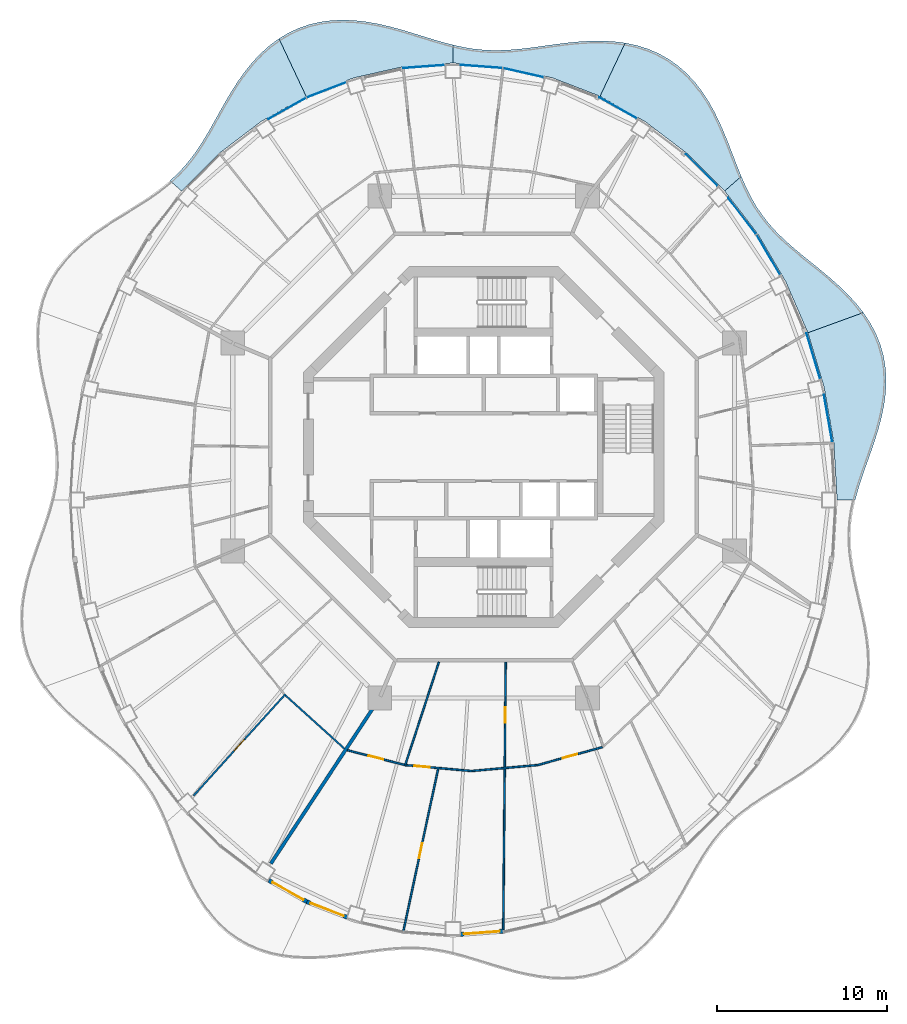
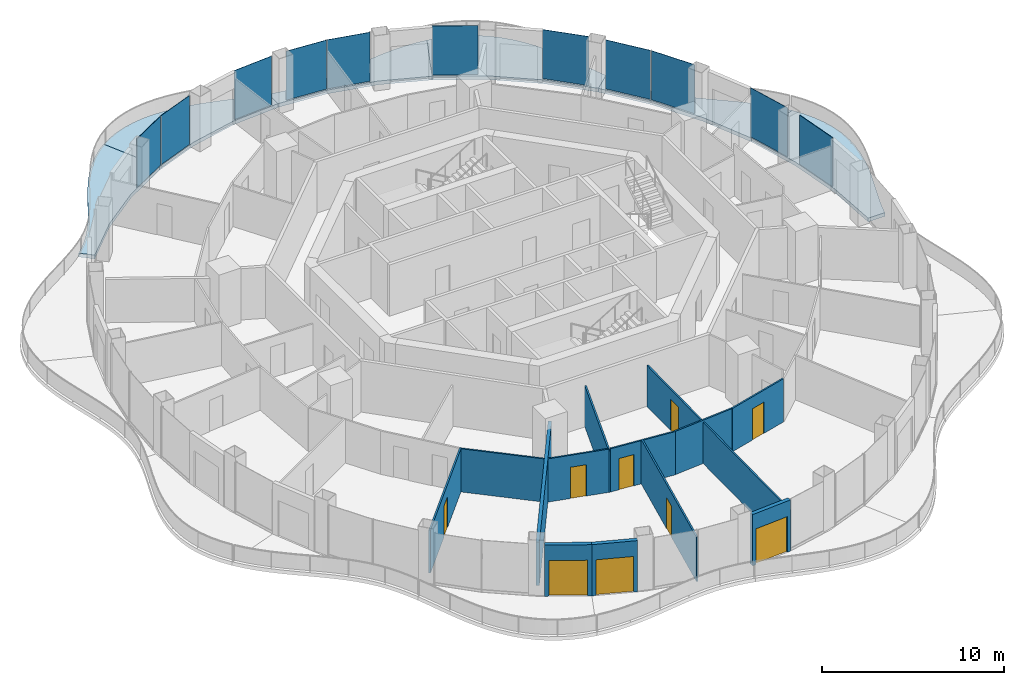
# One storey, part 9 of 17: 13 walls, 11 plates, 9 doors, 6 slabs, 9 openings, 11 elements without a shape of their own.
"""IFC4 building model written with IfcOpenShell, lengths in metres."""

from ifc_helpers import new_model, si_unit, direction, frame, frame_2d, origin, origin_2d, place, context, subcontext, project, spatial, polyline, rectangle, outline, extrude, material, layer, layer_set, type_object, element, fill, aggregate, save


model = new_model("IFC4")

# Units and contexts
model_context = context("Model", 3, precision=1e-05, world=origin(), true_north=direction((0.0, 1.0)))
body_context = subcontext(model_context, "Body", "Model", "MODEL_VIEW")
ifc_project = project(units=[si_unit("LENGTHUNIT", "METRE"), si_unit("AREAUNIT", "SQUARE_METRE"), si_unit("VOLUMEUNIT", "CUBIC_METRE"), si_unit("PLANEANGLEUNIT", "RADIAN"), si_unit("MASSUNIT", "GRAM", prefix="KILO")], contexts=[model_context])

# Site, building, storey
site_placement = place(None, origin())
site = spatial("IfcSite", under=ifc_project, at=site_placement, CompositionType="ELEMENT")
building_placement = place(site_placement, origin())
building = spatial("IfcBuilding", under=site, at=building_placement, Name="Nagisa Residences", CompositionType="ELEMENT")
storey_placement = place(building_placement, frame((0.0, 0.0, 262.199951171875)))
storey = spatial("IfcBuildingStorey", under=building, at=storey_placement, Name="L66", CompositionType="ELEMENT", Elevation=262.199951171875)

# Slabs
ifc_material_1 = material(Name="Concrete C40/50", Category="concrete")
ifc_layer_1 = layer(ifc_material_1, 0.25)
ifc_layer_set_1 = layer_set([ifc_layer_1], Name="BALCONY SLAB 250")
slab_type = type_object("IfcSlabType", Name="BALCONY SLAB 250", PredefinedType="FLOOR", material=ifc_layer_set_1)
slab_1_placement = place(storey_placement, frame((0.0, 0.0, -0.25)))
element("IfcSlab", 1, at=slab_1_placement, inside=storey, type_object=slab_type, Name="slab:L66:bal00", PredefinedType="FLOOR", context=body_context, shape_type="SweptSolid", body=[
    extrude(outline(polyline([(21.88427734375, -3.11767578125), (22.06396484375, -2.462646484375), (22.27685546875, -1.798095703125), (22.511962890625, -1.12158203125), (22.757568359375, -0.43212890625), (23.00048828125, 0.270263671875), (23.226806640625, 0.984375), (23.4228515625, 1.7080078125), (23.576171875, 2.4375), (23.67529296875, 3.168701171875), (23.71044921875, 3.89697265625), (23.674560546875, 4.616943359375), (23.56298828125, 5.3232421875), (23.37353515625, 6.0107421875), (23.10791015625, 6.67529296875), (22.76953125, 7.31298828125), (22.364990234375, 7.921630859375), (19.09814453125, 6.732666015625), (20.04931640625, 3.544189453125), (20.62646484375, 0.241943359375), (20.820068359375, -3.11767578125), (21.88427734375, -3.11767578125)])), origin(), (0.0, 0.0, 1.0), 0.25),
])
slab_2_placement = place(storey_placement, frame((0.0, 0.0, -0.25)))
element("IfcSlab", 2, at=slab_2_placement, inside=storey, type_object=slab_type, Name="slab:L66:bal01", PredefinedType="FLOOR", context=body_context, shape_type="SweptSolid", body=[
    extrude(outline(polyline([(22.364990234375, 7.921630859375), (21.91796875, 8.482666015625), (21.4267578125, 9.015869140625), (20.90185546875, 9.5224609375), (20.35498046875, 10.005615234375), (19.797607421875, 10.469482421875), (19.240966796875, 10.919189453125), (18.696044921875, 11.36083984375), (18.171630859375, 11.801025390625), (17.67529296875, 12.24609375), (17.212890625, 12.702880859375), (16.787353515625, 13.17724609375), (16.39990234375, 13.67431640625), (16.049072265625, 14.19775390625), (15.73193359375, 14.75048828125), (15.4423828125, 15.332763671875), (15.173828125, 15.943603515625), (14.19482421875, 15.083251953125), (16.145751953125, 12.5517578125), (17.78955078125, 9.752197265625), (19.09814453125, 6.732666015625), (22.364990234375, 7.921630859375)])), origin(), (0.0, 0.0, 1.0), 0.25),
])
slab_3_placement = place(storey_placement, frame((0.0, 0.0, -0.25)))
element("IfcSlab", 3, at=slab_3_placement, inside=storey, type_object=slab_type, Name="slab:L66:bal02", PredefinedType="FLOOR", context=body_context, shape_type="SweptSolid", body=[
    extrude(outline(polyline([(15.173828125, 15.943603515625), (14.9296875, 16.5498046875), (14.688720703125, 17.17529296875), (14.442626953125, 17.81396484375), (14.18310546875, 18.459228515625), (13.902587890625, 19.103515625), (13.593505859375, 19.73779296875), (13.25, 20.35302734375), (12.867431640625, 20.940185546875), (12.4423828125, 21.49072265625), (11.97314453125, 21.996337890625), (11.459716796875, 22.449951171875), (10.904052734375, 22.84619140625), (10.30908203125, 23.1806640625), (9.678955078125, 23.45166015625), (9.01953125, 23.65869140625), (8.336669921875, 23.803955078125), (6.856201171875, 20.6630859375), (9.510009765625, 19.173828125), (11.97021484375, 17.30322265625), (14.19482421875, 15.083251953125), (15.173828125, 15.943603515625)])), origin(), (0.0, 0.0, 1.0), 0.25),
])
slab_4_placement = place(storey_placement, frame((0.0, 0.0, -0.25)))
element("IfcSlab", 4, at=slab_4_placement, inside=storey, type_object=slab_type, Name="slab:L66:bal03", PredefinedType="FLOOR", context=body_context, shape_type="SweptSolid", body=[
    extrude(outline(polyline([(8.336669921875, 23.803955078125), (7.662841796875, 23.888916015625), (6.9794921875, 23.9248046875), (6.292236328125, 23.918701171875), (5.60693359375, 23.8779296875), (4.927978515625, 23.811279296875), (4.259033203125, 23.727783203125), (3.602783203125, 23.63720703125), (2.9609375, 23.54833984375), (2.333984375, 23.47021484375), (1.721435546875, 23.410400390625), (1.12109375, 23.37548828125), (0.53076171875, 23.37060546875), (-0.052734375, 23.398681640625), (-0.633056640625, 23.46142578125), (-1.21435546875, 23.558349609375), (-1.800048828125, 23.6865234375), (-1.800048828125, 22.622314453125), (1.152587890625, 22.402099609375), (4.054443359375, 21.745361328125), (6.856201171875, 20.6630859375), (8.336669921875, 23.803955078125)])), origin(), (0.0, 0.0, 1.0), 0.25),
])
slab_5_placement = place(storey_placement, frame((0.0, 0.0, -0.25)))
element("IfcSlab", 5, at=slab_5_placement, inside=storey, type_object=slab_type, Name="slab:L66:bal04", PredefinedType="FLOOR", context=body_context, shape_type="SweptSolid", body=[
    extrude(outline(polyline([(-1.800048828125, 23.6865234375), (-2.393798828125, 23.842041015625), (-2.998291015625, 24.018798828125), (-3.61572265625, 24.209228515625), (-4.24755859375, 24.405029296875), (-4.8935546875, 24.596435546875), (-5.552978515625, 24.774169921875), (-6.2236328125, 24.927978515625), (-6.90234375, 25.048583984375), (-7.58544921875, 25.127197265625), (-8.26806640625, 25.156494140625), (-8.94482421875, 25.129638671875), (-9.6103515625, 25.042724609375), (-10.25927734375, 24.892333984375), (-10.886474609375, 24.677490234375), (-11.487060546875, 24.399169921875), (-12.0576171875, 24.06005859375), (-10.456298828125, 20.6630859375), (-7.654541015625, 21.745361328125), (-4.75244140625, 22.402099609375), (-1.800048828125, 22.622314453125), (-1.800048828125, 23.6865234375)])), origin(), (0.0, 0.0, 1.0), 0.25),
])
slab_6_placement = place(storey_placement, frame((0.0, 0.0, -0.25)))
element("IfcSlab", 6, at=slab_6_placement, inside=storey, type_object=slab_type, Name="slab:L66:bal05", PredefinedType="FLOOR", context=body_context, shape_type="SweptSolid", body=[
    extrude(outline(polyline([(-12.0576171875, 24.06005859375), (-12.6142578125, 23.6484375), (-13.1337890625, 23.1826171875), (-13.61572265625, 22.670166015625), (-14.060791015625, 22.120361328125), (-14.472412109375, 21.54296875), (-14.854248046875, 20.94775390625), (-15.212158203125, 20.344482421875), (-15.552001953125, 19.742431640625), (-15.88134765625, 19.150146484375), (-16.20751953125, 18.57470703125), (-16.5380859375, 18.02197265625), (-16.880126953125, 17.49609375), (-17.240478515625, 16.999267578125), (-17.62451171875, 16.532470703125), (-18.0361328125, 16.094970703125), (-18.478271484375, 15.683837890625), (-17.794677734375, 15.083251953125), (-15.570068359375, 17.30322265625), (-13.110107421875, 19.173828125), (-10.456298828125, 20.6630859375), (-12.0576171875, 24.06005859375)])), origin(), (0.0, 0.0, 1.0), 0.25),
])

# Curtain wall, plate
ifc_material_2 = material(Name="Concrete-coloured aluminium curtain wall system", Category="concrete")
ifc_layer_2 = layer(ifc_material_2, 0.159912109375)
ifc_layer_set_2 = layer_set([ifc_layer_2], Name="CW1 CURTAIN WALL")
curtain_wall_type = type_object("IfcCurtainWallType", Name="CW1 CURTAIN WALL", PredefinedType="NOTDEFINED", material=ifc_layer_set_2)
curtain_wall_1_placement = place(storey_placement, origin())
curtain_wall_1 = element("IfcCurtainWall", 7, at=curtain_wall_1_placement, inside=storey, type_object=curtain_wall_type, Name="cw:CW1:L66:01", PredefinedType="NOTDEFINED")
ifc_material_3 = material(Name="Clear laminated glass", Category="glass")
ifc_layer_3 = layer(ifc_material_3, 0.028076171875)
ifc_layer_set_3 = layer_set([ifc_layer_3], Name="CW1 GLASS PANEL")
plate_type = type_object("IfcPlateType", Name="CW1 GLASS PANEL", PredefinedType="CURTAIN_PANEL", material=ifc_layer_set_3)
plate_1_placement = place(storey_placement, frame((20.292724609375, 1.687255859375, 0.150146484375), z_axis=(0.0, 0.0, 1.0), x_axis=(-0.172190868898, 0.985063604377, 0.0)))
plate_1 = element("IfcPlate", 8, at=plate_1_placement, type_object=plate_type, Name="CW1 panel", PredefinedType="CURTAIN_PANEL", context=body_context, shape_type="SweptSolid", body=[
    extrude(rectangle(XDim=2.84228515625, YDim=0.028076171875, at=origin_2d()), origin(), (0.0, 0.0, 1.0), 3.2900390625),
])
aggregate(curtain_wall_1, [plate_1])

curtain_wall_2_placement = place(storey_placement, origin())
curtain_wall_2 = element("IfcCurtainWall", 9, at=curtain_wall_2_placement, inside=storey, type_object=curtain_wall_type, Name="cw:CW1:L66:02", PredefinedType="NOTDEFINED")
plate_2_placement = place(storey_placement, frame((19.424072265625, 5.35986328125, 0.150146484375), z_axis=(0.0, 0.0, 1.0), x_axis=(-0.285860274038, 0.958271310082, 0.0)))
plate_2 = element("IfcPlate", 10, at=plate_2_placement, type_object=plate_type, Name="CW1 panel", PredefinedType="CURTAIN_PANEL", context=body_context, shape_type="SweptSolid", body=[
    extrude(rectangle(XDim=2.817138671875, YDim=0.028076171875, at=origin_2d()), origin(), (0.0, 0.0, 1.0), 3.2900390625),
])
aggregate(curtain_wall_2, [plate_2])

curtain_wall_3_placement = place(storey_placement, origin())
curtain_wall_3 = element("IfcCurtainWall", 11, at=curtain_wall_3_placement, inside=storey, type_object=curtain_wall_type, Name="cw:CW1:L66:04", PredefinedType="NOTDEFINED")
plate_3_placement = place(storey_placement, frame((16.76953125, 11.33154296875, 0.150146484375), z_axis=(0.0, 0.0, 1.0), x_axis=(-0.506348567002, 0.862328898214, 0.0)))
plate_3 = element("IfcPlate", 12, at=plate_3_placement, type_object=plate_type, Name="CW1 panel", PredefinedType="CURTAIN_PANEL", context=body_context, shape_type="SweptSolid", body=[
    extrude(rectangle(XDim=2.736572265625, YDim=0.028076171875, at=origin_2d()), origin(), (0.0, 0.0, 1.0), 3.2900390625),
])
aggregate(curtain_wall_3, [plate_3])

curtain_wall_4_placement = place(storey_placement, origin())
curtain_wall_4 = element("IfcCurtainWall", 13, at=curtain_wall_4_placement, inside=storey, type_object=curtain_wall_type, Name="cw:CW1:L66:05", PredefinedType="NOTDEFINED")
plate_4_placement = place(storey_placement, frame((15.225830078125, 13.6142578125, 0.150146484375), z_axis=(0.0, 0.0, 1.0), x_axis=(-0.610429828235, 0.792070340816, 0.0)))
plate_4 = element("IfcPlate", 14, at=plate_4_placement, type_object=plate_type, Name="CW1 panel", PredefinedType="CURTAIN_PANEL", context=body_context, shape_type="SweptSolid", body=[
    extrude(rectangle(XDim=2.68603515625, YDim=0.028076171875, at=origin_2d()), origin(), (0.0, 0.0, 1.0), 3.2900390625),
])
aggregate(curtain_wall_4, [plate_4])

curtain_wall_5_placement = place(storey_placement, origin())
curtain_wall_5 = element("IfcCurtainWall", 15, at=curtain_wall_5_placement, inside=storey, type_object=curtain_wall_type, Name="cw:CW1:L66:06", PredefinedType="NOTDEFINED")
plate_5_placement = place(storey_placement, frame((12.845458984375, 16.316650390625, 0.150146484375), z_axis=(0.0, 0.0, 1.0), x_axis=(-0.707835924016, 0.706376885714, 0.0)))
plate_5 = element("IfcPlate", 16, at=plate_5_placement, type_object=plate_type, Name="CW1 panel", PredefinedType="CURTAIN_PANEL", context=body_context, shape_type="SweptSolid", body=[
    extrude(rectangle(XDim=2.6328125, YDim=0.028076171875, at=origin_2d()), origin(), (0.0, 0.0, 1.0), 3.2900390625),
])
aggregate(curtain_wall_5, [plate_5])

curtain_wall_6_placement = place(storey_placement, origin())
curtain_wall_6 = element("IfcCurtainWall", 17, at=curtain_wall_6_placement, inside=storey, type_object=curtain_wall_type, Name="cw:CW1:L66:08", PredefinedType="NOTDEFINED")
plate_6_placement = place(storey_placement, frame((7.921630859375, 19.973388671875, 0.150146484375), z_axis=(0.0, 0.0, 1.0), x_axis=(-0.872072377523, 0.489376918501, 0.0)))
plate_6 = element("IfcPlate", 18, at=plate_6_placement, type_object=plate_type, Name="CW1 panel", PredefinedType="CURTAIN_PANEL", context=body_context, shape_type="SweptSolid", body=[
    extrude(rectangle(XDim=2.532958984375, YDim=0.028076171875, at=origin_2d()), origin(), (0.0, 0.0, 1.0), 3.2900390625),
])
aggregate(curtain_wall_6, [plate_6])

curtain_wall_7_placement = place(storey_placement, origin())
curtain_wall_7 = element("IfcCurtainWall", 19, at=curtain_wall_7_placement, inside=storey, type_object=curtain_wall_type, Name="cw:CW1:L66:10", PredefinedType="NOTDEFINED")
plate_7_placement = place(storey_placement, frame((2.337158203125, 22.052001953125, 0.150146484375), z_axis=(0.0, 0.0, 1.0), x_axis=(-0.975327274089, 0.2207639201, 0.0)))
plate_7 = element("IfcPlate", 20, at=plate_7_placement, type_object=plate_type, Name="CW1 panel", PredefinedType="CURTAIN_PANEL", context=body_context, shape_type="SweptSolid", body=[
    extrude(rectangle(XDim=2.46533203125, YDim=0.028076171875, at=origin_2d()), origin(), (0.0, 0.0, 1.0), 3.2900390625),
])
aggregate(curtain_wall_7, [plate_7])

curtain_wall_8_placement = place(storey_placement, origin())
curtain_wall_8 = element("IfcCurtainWall", 21, at=curtain_wall_8_placement, inside=storey, type_object=curtain_wall_type, Name="cw:CW1:L66:11", PredefinedType="NOTDEFINED")
plate_8_placement = place(storey_placement, frame((-0.13525390625, 22.41796875, 0.150146484375), z_axis=(0.0, 0.0, 1.0), x_axis=(-0.997230168512, 0.074377355493, 0.0)))
plate_8 = element("IfcPlate", 22, at=plate_8_placement, type_object=plate_type, Name="CW1 panel", PredefinedType="CURTAIN_PANEL", context=body_context, shape_type="SweptSolid", body=[
    extrude(rectangle(XDim=2.45068359375, YDim=0.028076171875, at=origin_2d()), origin(), (0.0, 0.0, 1.0), 3.2900390625),
])
aggregate(curtain_wall_8, [plate_8])

curtain_wall_9_placement = place(storey_placement, origin())
curtain_wall_9 = element("IfcCurtainWall", 23, at=curtain_wall_9_placement, inside=storey, type_object=curtain_wall_type, Name="cw:CW1:L66:12", PredefinedType="NOTDEFINED")
plate_9_placement = place(storey_placement, frame((-3.524658203125, 22.41357421875, 0.150146484375), z_axis=(0.0, 0.0, 1.0), x_axis=(-0.997230168512, -0.074377355493, 0.0)))
plate_9 = element("IfcPlate", 24, at=plate_9_placement, type_object=plate_type, Name="CW1 panel", PredefinedType="CURTAIN_PANEL", context=body_context, shape_type="SweptSolid", body=[
    extrude(rectangle(XDim=2.45068359375, YDim=0.028076171875, at=origin_2d()), origin(), (0.0, 0.0, 1.0), 3.2900390625),
])
aggregate(curtain_wall_9, [plate_9])

curtain_wall_10_placement = place(storey_placement, origin())
curtain_wall_10 = element("IfcCurtainWall", 25, at=curtain_wall_10_placement, inside=storey, type_object=curtain_wall_type, Name="cw:CW1:L66:14", PredefinedType="NOTDEFINED")
plate_10_placement = place(storey_placement, frame((-9.264404296875, 21.03759765625, 0.150146484375), z_axis=(0.0, 0.0, 1.0), x_axis=(-0.932825759707, -0.360327770268, 0.0)))
plate_10 = element("IfcPlate", 26, at=plate_10_placement, type_object=plate_type, Name="CW1 panel", PredefinedType="CURTAIN_PANEL", context=body_context, shape_type="SweptSolid", body=[
    extrude(rectangle(XDim=2.49365234375, YDim=0.028076171875, at=origin_2d()), origin(), (0.0, 0.0, 1.0), 3.2900390625),
])
aggregate(curtain_wall_10, [plate_10])

curtain_wall_11_placement = place(storey_placement, origin())
curtain_wall_11 = element("IfcCurtainWall", 27, at=curtain_wall_11_placement, inside=storey, type_object=curtain_wall_type, Name="cw:CW1:L66:15", PredefinedType="NOTDEFINED")
plate_11_placement = place(storey_placement, frame((-11.573974609375, 19.944091796875, 0.150146484375), z_axis=(0.0, 0.0, 1.0), x_axis=(-0.872072377523, -0.489376918501, 0.0)))
plate_11 = element("IfcPlate", 28, at=plate_11_placement, type_object=plate_type, Name="CW1 panel", PredefinedType="CURTAIN_PANEL", context=body_context, shape_type="SweptSolid", body=[
    extrude(rectangle(XDim=2.532958984375, YDim=0.028076171875, at=origin_2d()), origin(), (0.0, 0.0, 1.0), 3.2900390625),
])
aggregate(curtain_wall_11, [plate_11])

# Wall
ifc_material_4 = material(Name="Gypsum board on steel studs", Category="steel")
ifc_layer_4 = layer(ifc_material_4, 0.199951171875)
ifc_layer_set_4 = layer_set([ifc_layer_4], Name="Apartment compartment wall EI60 200")
wall_type_1 = type_object("IfcWallType", Name="Apartment compartment wall EI60 200", PredefinedType="PARTITIONING", material=ifc_layer_set_4)
wall_1_placement = place(storey_placement, frame((-6.150634765625, -14.82373046875, 0.0), z_axis=(0.0, 0.0, 1.0), x_axis=(-0.549345577828, -0.835595258556, 0.0)))
element("IfcWall", 29, at=wall_1_placement, inside=storey, type_object=wall_type_1, Name="wall:L66:u05", PredefinedType="PARTITIONING", context=body_context, shape_type="SweptSolid", body=[
    extrude(rectangle(XDim=11.619873046875, YDim=0.199951171875, at=frame_2d((5.81005859375, 0.0))), origin(), (0.0, 0.0, 1.0), 2.905029296875),
])

# Wall, opening, door
ifc_material_5 = material(Name="Gypsum board on steel studs", Category="steel")
ifc_layer_5 = layer(ifc_material_5, 0.10009765625)
ifc_layer_set_5 = layer_set([ifc_layer_5], Name="Apartment partition 100")
wall_type_2 = type_object("IfcWallType", Name="Apartment partition 100", PredefinedType="PARTITIONING", material=ifc_layer_set_5)
wall_2_placement = place(storey_placement, frame((-11.67919921875, -14.55712890625, 0.0), z_axis=(0.0, 0.0, 1.0), x_axis=(-0.670800011545, -0.741638284146, 0.0)))
wall_2 = element("IfcWall", 30, at=wall_2_placement, inside=storey, type_object=wall_type_2, Name="wall:L66:u52", PredefinedType="PARTITIONING", context=body_context, shape_type="SweptSolid", body=[
    extrude(rectangle(XDim=8.068115234375, YDim=0.10009765625, at=frame_2d((4.0341796875, 0.0))), origin(), (0.0, 0.0, 1.0), 2.905029296875),
])
opening_1_placement = place(wall_2_placement, frame((3.609130859375, 0.0, 0.0)))
opening_1 = element("IfcOpeningElement", 31, at=opening_1_placement, cuts=wall_2, Name="Opening L66-U25", PredefinedType="OPENING", context=body_context, shape_type="SweptSolid", body=[
    extrude(rectangle(XDim=0.89990234375, YDim=2.10009765625, at=frame_2d((0.449951171875, 1.050048828125))), frame((0.0, 0.06005859375, 0.0), z_axis=(0.0, -1.0, 0.0), x_axis=(1.0, 0.0, 0.0)), (0.0, 0.0, 1.0), 0.1201171875),
])
ifc_material_6 = material(Name="Timber door set", Category="wood")
door_type_1 = type_object("IfcDoorType", Name="Apartment door 900x2100", OperationType="NOTDEFINED", PredefinedType="DOOR", material=ifc_material_6)
door_1_placement = place(opening_1_placement, origin())
door_1 = element("IfcDoor", 32, at=door_1_placement, inside=storey, type_object=door_type_1, Name="Door to master bedroom, Apartment 66C", OperationType="SINGLE_SWING_LEFT", OverallHeight=2.10009765625, OverallWidth=0.89990234375, PredefinedType="DOOR", context=body_context, shape_type="SweptSolid", body=[
    extrude(rectangle(XDim=0.89990234375, YDim=2.10009765625, at=frame_2d((0.449951171875, 1.050048828125))), frame((0.0, 0.02490234375, 0.0), z_axis=(0.0, -1.0, 0.0), x_axis=(1.0, 0.0, 0.0)), (0.0, 0.0, 1.0), 0.050048828125),
])
fill(opening_1, door_1)

# Wall
wall_3_placement = place(storey_placement, frame((-11.675537109375, -14.627685546875, 0.0), z_axis=(0.0, 0.0, 1.0), x_axis=(0.74245829867, -0.669892285921, 0.0)))
element("IfcWall", 33, at=wall_3_placement, inside=storey, type_object=wall_type_2, Name="wall:L66:u53", PredefinedType="PARTITIONING", context=body_context, shape_type="SweptSolid", body=[
    extrude(rectangle(XDim=4.679931640625, YDim=0.10009765625, at=frame_2d((2.33984375, 0.0))), origin(), (0.0, 0.0, 1.0), 2.905029296875),
])

# Wall, opening, door
wall_4_placement = place(storey_placement, frame((-8.02978515625, -17.8544921875, 0.0), z_axis=(0.0, 0.0, 1.0), x_axis=(0.968441967324, -0.249239154077, 0.0)))
wall_4 = element("IfcWall", 34, at=wall_4_placement, inside=storey, type_object=wall_type_2, Name="wall:L66:u54", PredefinedType="PARTITIONING", context=body_context, shape_type="SweptSolid", body=[
    extrude(rectangle(XDim=3.467529296875, YDim=0.10009765625, at=frame_2d((1.73388671875, 0.0))), origin(), (0.0, 0.0, 1.0), 2.905029296875),
])
opening_2_placement = place(wall_4_placement, frame((1.28369140625, 0.0, 0.0)))
opening_2 = element("IfcOpeningElement", 35, at=opening_2_placement, cuts=wall_4, Name="Opening L66-U38", PredefinedType="OPENING", context=body_context, shape_type="SweptSolid", body=[
    extrude(rectangle(XDim=0.89990234375, YDim=2.10009765625, at=frame_2d((0.449951171875, 1.050048828125))), frame((0.0, 0.06005859375, 0.0), z_axis=(0.0, -1.0, 0.0), x_axis=(1.0, 0.0, 0.0)), (0.0, 0.0, 1.0), 0.1201171875),
])
door_2_placement = place(opening_2_placement, origin())
door_2 = element("IfcDoor", 36, at=door_2_placement, inside=storey, type_object=door_type_1, Name="Door to laundry, Apartment 66D", OperationType="SINGLE_SWING_RIGHT", OverallHeight=2.10009765625, OverallWidth=0.89990234375, PredefinedType="DOOR", context=body_context, shape_type="SweptSolid", body=[
    extrude(rectangle(XDim=0.89990234375, YDim=2.10009765625, at=frame_2d((0.449951171875, 1.050048828125))), frame((0.0, 0.02490234375, 0.0), z_axis=(0.0, -1.0, 0.0), x_axis=(1.0, 0.0, 0.0)), (0.0, 0.0, 1.0), 0.050048828125),
])
fill(opening_2, door_2)

# Wall
wall_5_placement = place(storey_placement, frame((-2.63330078125, -12.65966796875, 0.0), z_axis=(0.0, 0.0, 1.0), x_axis=(-0.311435053715, -0.950267439891, 0.0)))
element("IfcWall", 37, at=wall_5_placement, inside=storey, type_object=wall_type_2, Name="wall:L66:u55", PredefinedType="PARTITIONING", context=body_context, shape_type="SweptSolid", body=[
    extrude(rectangle(XDim=6.439208984375, YDim=0.10009765625, at=frame_2d((3.2197265625, 0.0))), origin(), (0.0, 0.0, 1.0), 2.761962890625),
])

# Wall, opening, door
wall_6_placement = place(storey_placement, frame((-4.5732421875, -18.735595703125, 0.0), z_axis=(0.0, 0.0, 1.0), x_axis=(0.995984610732, -0.089524606594, 0.0)))
wall_6 = element("IfcWall", 38, at=wall_6_placement, inside=storey, type_object=wall_type_2, Name="wall:L66:u56", PredefinedType="PARTITIONING", context=body_context, shape_type="SweptSolid", body=[
    extrude(rectangle(XDim=3.918701171875, YDim=0.10009765625, at=frame_2d((1.95947265625, 0.0))), origin(), (0.0, 0.0, 1.0), 2.905029296875),
])
opening_3_placement = place(wall_6_placement, frame((0.504638671875, 0.0, 0.0)))
opening_3 = element("IfcOpeningElement", 39, at=opening_3_placement, cuts=wall_6, Name="Opening L66-U36", PredefinedType="OPENING", context=body_context, shape_type="SweptSolid", body=[
    extrude(rectangle(XDim=0.89990234375, YDim=2.10009765625, at=frame_2d((0.449951171875, 1.050048828125))), frame((0.0, 0.06005859375, 0.0), z_axis=(0.0, -1.0, 0.0), x_axis=(1.0, 0.0, 0.0)), (0.0, 0.0, 1.0), 0.1201171875),
])
door_3_placement = place(opening_3_placement, frame((0.89990234375, 0.0, 0.0), x_axis=(-1.0, 0.0, 0.0)))
door_3 = element("IfcDoor", 40, at=door_3_placement, inside=storey, type_object=door_type_1, Name="Door to living room, Apartment 66D", OperationType="SINGLE_SWING_LEFT", OverallHeight=2.10009765625, OverallWidth=0.89990234375, PredefinedType="DOOR", context=body_context, shape_type="SweptSolid", body=[
    extrude(rectangle(XDim=0.89990234375, YDim=2.10009765625, at=frame_2d((0.449951171875, 1.050048828125))), frame((0.0, 0.02490234375, 0.0), z_axis=(0.0, -1.0, 0.0), x_axis=(1.0, 0.0, 0.0)), (0.0, 0.0, 1.0), 0.050048828125),
])
fill(opening_3, door_3)

wall_7_placement = place(storey_placement, frame((-2.68212890625, -18.955322265625, 0.0), z_axis=(0.0, 0.0, 1.0), x_axis=(-0.209106370979, -0.977892900892, 0.0)))
wall_7 = element("IfcWall", 41, at=wall_7_placement, inside=storey, type_object=wall_type_2, Name="wall:L66:u57", PredefinedType="PARTITIONING", context=body_context, shape_type="SweptSolid", body=[
    extrude(rectangle(XDim=9.861083984375, YDim=0.10009765625, at=frame_2d((4.9306640625, 0.0))), origin(), (0.0, 0.0, 1.0), 2.983154296875),
])
opening_4_placement = place(wall_7_placement, frame((4.48046875, 0.0, 0.0)))
opening_4 = element("IfcOpeningElement", 42, at=opening_4_placement, cuts=wall_7, Name="Opening L66-U37", PredefinedType="OPENING", context=body_context, shape_type="SweptSolid", body=[
    extrude(rectangle(XDim=0.89990234375, YDim=2.10009765625, at=frame_2d((0.449951171875, 1.050048828125))), frame((0.0, 0.06005859375, 0.0), z_axis=(0.0, -1.0, 0.0), x_axis=(1.0, 0.0, 0.0)), (0.0, 0.0, 1.0), 0.1201171875),
])
door_4_placement = place(opening_4_placement, origin())
door_4 = element("IfcDoor", 43, at=door_4_placement, inside=storey, type_object=door_type_1, Name="Door to master bedroom, Apartment 66D", OperationType="SINGLE_SWING_LEFT", OverallHeight=2.10009765625, OverallWidth=0.89990234375, PredefinedType="DOOR", context=body_context, shape_type="SweptSolid", body=[
    extrude(rectangle(XDim=0.89990234375, YDim=2.10009765625, at=frame_2d((0.449951171875, 1.050048828125))), frame((0.0, 0.02490234375, 0.0), z_axis=(0.0, -1.0, 0.0), x_axis=(1.0, 0.0, 0.0)), (0.0, 0.0, 1.0), 0.050048828125),
])
fill(opening_4, door_4)

# Wall
wall_8_placement = place(storey_placement, frame((-0.670166015625, -19.077392578125, 0.0), z_axis=(0.0, 0.0, 1.0), x_axis=(0.995986472869, 0.089503887414, 0.0)))
element("IfcWall", 44, at=wall_8_placement, inside=storey, type_object=wall_type_2, Name="wall:L66:u58", PredefinedType="PARTITIONING", context=body_context, shape_type="SweptSolid", body=[
    extrude(rectangle(XDim=3.81884765625, YDim=0.10009765625, at=frame_2d((1.909423828125, 0.0))), origin(), (0.0, 0.0, 1.0), 2.905029296875),
])

# Wall, opening, door
wall_9_placement = place(storey_placement, frame((1.30029296875, -12.664794921875, 0.0), z_axis=(0.0, 0.0, 1.0), x_axis=(-0.009254890166, -0.999957172587, 0.0)))
wall_9 = element("IfcWall", 45, at=wall_9_placement, inside=storey, type_object=wall_type_2, Name="wall:L66:u59", PredefinedType="PARTITIONING", context=body_context, shape_type="SweptSolid", body=[
    extrude(rectangle(XDim=15.933349609375, YDim=0.10009765625, at=frame_2d((7.966796875, 0.0))), origin(), (0.0, 0.0, 1.0), 2.761962890625),
])
opening_5_placement = place(wall_9_placement, frame((2.671142578125, 0.0, 0.0)))
opening_5 = element("IfcOpeningElement", 46, at=opening_5_placement, cuts=wall_9, Name="Opening L66-U35", PredefinedType="OPENING", context=body_context, shape_type="SweptSolid", body=[
    extrude(rectangle(XDim=0.89990234375, YDim=2.10009765625, at=frame_2d((0.449951171875, 1.050048828125))), frame((0.0, 0.06005859375, 0.0), z_axis=(0.0, -1.0, 0.0), x_axis=(1.0, 0.0, 0.0)), (0.0, 0.0, 1.0), 0.1201171875),
])
door_5_placement = place(opening_5_placement, frame((0.89990234375, 0.0, 0.0), x_axis=(-1.0, 0.0, 0.0)))
door_5 = element("IfcDoor", 47, at=door_5_placement, inside=storey, type_object=door_type_1, Name="Door to store, Apartment 66D", OperationType="SINGLE_SWING_RIGHT", OverallHeight=2.10009765625, OverallWidth=0.89990234375, PredefinedType="DOOR", context=body_context, shape_type="SweptSolid", body=[
    extrude(rectangle(XDim=0.89990234375, YDim=2.10009765625, at=frame_2d((0.449951171875, 1.050048828125))), frame((0.0, 0.02490234375, 0.0), z_axis=(0.0, -1.0, 0.0), x_axis=(1.0, 0.0, 0.0)), (0.0, 0.0, 1.0), 0.050048828125),
])
fill(opening_5, door_5)

wall_10_placement = place(storey_placement, frame((3.135009765625, -18.744384765625, 0.0), z_axis=(0.0, 0.0, 1.0), x_axis=(0.963606111552, 0.267326133738, 0.0)))
wall_10 = element("IfcWall", 48, at=wall_10_placement, inside=storey, type_object=wall_type_2, Name="wall:L66:u60", PredefinedType="PARTITIONING", context=body_context, shape_type="SweptSolid", body=[
    extrude(rectangle(XDim=4.0029296875, YDim=0.10009765625, at=frame_2d((2.00146484375, 0.0))), origin(), (0.0, 0.0, 1.0), 2.905029296875),
])
opening_6_placement = place(wall_10_placement, frame((1.576416015625, 0.0, 0.0)))
opening_6 = element("IfcOpeningElement", 49, at=opening_6_placement, cuts=wall_10, Name="Opening L66-U34", PredefinedType="OPENING", context=body_context, shape_type="SweptSolid", body=[
    extrude(rectangle(XDim=0.89990234375, YDim=2.10009765625, at=frame_2d((0.449951171875, 1.050048828125))), frame((0.0, 0.06005859375, 0.0), z_axis=(0.0, -1.0, 0.0), x_axis=(1.0, 0.0, 0.0)), (0.0, 0.0, 1.0), 0.1201171875),
])
door_6_placement = place(opening_6_placement, frame((0.89990234375, 0.0, 0.0), x_axis=(-1.0, 0.0, 0.0)))
door_6 = element("IfcDoor", 50, at=door_6_placement, inside=storey, type_object=door_type_1, Name="Door to family room, Apartment 66D", OperationType="SINGLE_SWING_LEFT", OverallHeight=2.10009765625, OverallWidth=0.89990234375, PredefinedType="DOOR", context=body_context, shape_type="SweptSolid", body=[
    extrude(rectangle(XDim=0.89990234375, YDim=2.10009765625, at=frame_2d((0.449951171875, 1.050048828125))), frame((0.0, 0.02490234375, 0.0), z_axis=(0.0, -1.0, 0.0), x_axis=(1.0, 0.0, 0.0)), (0.0, 0.0, 1.0), 0.050048828125),
])
fill(opening_6, door_6)

ifc_material_7 = material(Name="Precast concrete C40/50", Category="concrete")
ifc_layer_6 = layer(ifc_material_7, 0.25)
ifc_layer_set_6 = layer_set([ifc_layer_6], Name="BALCONY DOOR WALL 250")
wall_type_3 = type_object("IfcWallType", Name="BALCONY DOOR WALL 250", PredefinedType="SOLIDWALL", material=ifc_layer_set_6)
wall_11_placement = place(storey_placement, frame((-10.39501953125, -26.789306640625, 0.0), z_axis=(0.0, 0.0, 1.0), x_axis=(-0.872115604046, 0.489299880625, 0.0)))
wall_11 = element("IfcWall", 51, at=wall_11_placement, inside=storey, type_object=wall_type_3, Name="wall:L66:bay32", PredefinedType="SOLIDWALL", context=body_context, shape_type="SweptSolid", body=[
    extrude(rectangle(XDim=2.593017578125, YDim=0.25, at=frame_2d((1.29638671875, 0.0))), origin(), (0.0, 0.0, 1.0), 3.43994140625),
])
opening_7_placement = place(wall_11_placement, frame((0.24658203125, 0.0, 0.0)))
opening_7 = element("IfcOpeningElement", 52, at=opening_7_placement, cuts=wall_11, Name="Opening BD-L66-11", PredefinedType="OPENING", context=body_context, shape_type="SweptSolid", body=[
    extrude(rectangle(XDim=2.10009765625, YDim=2.39990234375, at=frame_2d((1.050048828125, 1.199951171875))), frame((0.0, 0.135009765625, 0.0), z_axis=(0.0, -1.0, 0.0), x_axis=(1.0, 0.0, 0.0)), (0.0, 0.0, 1.0), 0.27001953125),
])
ifc_material_8 = material(Name="Aluminium and clear glass", Category="aluminium")
door_type_2 = type_object("IfcDoorType", Name="BALCONY SLIDING DOOR 2100x2400", OperationType="SLIDING_TO_LEFT", PredefinedType="DOOR", material=ifc_material_8)
door_7_placement = place(opening_7_placement, origin())
door_7 = element("IfcDoor", 53, at=door_7_placement, inside=storey, type_object=door_type_2, Name="door:L66:bay32", OperationType="SLIDING_TO_LEFT", OverallHeight=2.39990234375, OverallWidth=2.10009765625, PredefinedType="DOOR", context=body_context, shape_type="SweptSolid", body=[
    extrude(rectangle(XDim=2.10009765625, YDim=2.39990234375, at=frame_2d((1.050048828125, 1.199951171875))), frame((0.0, 0.02490234375, 0.0), z_axis=(0.0, -1.0, 0.0), x_axis=(1.0, 0.0, 0.0)), (0.0, 0.0, 1.0), 0.050048828125),
])
fill(opening_7, door_7)

wall_12_placement = place(storey_placement, frame((-8.029296875, -27.701904296875, 0.0), z_axis=(0.0, 0.0, 1.0), x_axis=(-0.93282223778, 0.360336887792, 0.0)))
wall_12 = element("IfcWall", 54, at=wall_12_placement, inside=storey, type_object=wall_type_3, Name="wall:L66:bay33", PredefinedType="SOLIDWALL", context=body_context, shape_type="SweptSolid", body=[
    extrude(rectangle(XDim=2.5537109375, YDim=0.25, at=frame_2d((1.27685546875, 0.0))), origin(), (0.0, 0.0, 1.0), 3.43994140625),
])
opening_8_placement = place(wall_12_placement, frame((0.226806640625, 0.0, 0.0)))
opening_8 = element("IfcOpeningElement", 55, at=opening_8_placement, cuts=wall_12, Name="Opening BD-L66-12", PredefinedType="OPENING", context=body_context, shape_type="SweptSolid", body=[
    extrude(rectangle(XDim=2.10009765625, YDim=2.39990234375, at=frame_2d((1.050048828125, 1.199951171875))), frame((0.0, 0.135009765625, 0.0), z_axis=(0.0, -1.0, 0.0), x_axis=(1.0, 0.0, 0.0)), (0.0, 0.0, 1.0), 0.27001953125),
])
door_8_placement = place(opening_8_placement, origin())
door_8 = element("IfcDoor", 56, at=door_8_placement, inside=storey, type_object=door_type_2, Name="door:L66:bay33", OperationType="SLIDING_TO_LEFT", OverallHeight=2.39990234375, OverallWidth=2.10009765625, PredefinedType="DOOR", context=body_context, shape_type="SweptSolid", body=[
    extrude(rectangle(XDim=2.10009765625, YDim=2.39990234375, at=frame_2d((1.050048828125, 1.199951171875))), frame((0.0, 0.02490234375, 0.0), z_axis=(0.0, -1.0, 0.0), x_axis=(1.0, 0.0, 0.0)), (0.0, 0.0, 1.0), 0.050048828125),
])
fill(opening_8, door_8)

wall_13_placement = place(storey_placement, frame((1.143310546875, -28.512939453125, 0.0), z_axis=(0.0, 0.0, 1.0), x_axis=(-0.997236892469, -0.074287147606, 0.0)))
wall_13 = element("IfcWall", 57, at=wall_13_placement, inside=storey, type_object=wall_type_3, Name="wall:L66:bay36", PredefinedType="SOLIDWALL", context=body_context, shape_type="SweptSolid", body=[
    extrude(rectangle(XDim=2.5107421875, YDim=0.25, at=frame_2d((1.25537109375, 0.0))), origin(), (0.0, 0.0, 1.0), 3.43994140625),
])
opening_9_placement = place(wall_13_placement, frame((0.205322265625, 0.0, 0.0)))
opening_9 = element("IfcOpeningElement", 58, at=opening_9_placement, cuts=wall_13, Name="Opening BD-L66-13", PredefinedType="OPENING", context=body_context, shape_type="SweptSolid", body=[
    extrude(rectangle(XDim=2.10009765625, YDim=2.39990234375, at=frame_2d((1.050048828125, 1.199951171875))), frame((0.0, 0.135009765625, 0.0), z_axis=(0.0, -1.0, 0.0), x_axis=(1.0, 0.0, 0.0)), (0.0, 0.0, 1.0), 0.27001953125),
])
door_9_placement = place(opening_9_placement, origin())
door_9 = element("IfcDoor", 59, at=door_9_placement, inside=storey, type_object=door_type_2, Name="door:L66:bay36", OperationType="SLIDING_TO_LEFT", OverallHeight=2.39990234375, OverallWidth=2.10009765625, PredefinedType="DOOR", context=body_context, shape_type="SweptSolid", body=[
    extrude(rectangle(XDim=2.10009765625, YDim=2.39990234375, at=frame_2d((1.050048828125, 1.199951171875))), frame((0.0, 0.02490234375, 0.0), z_axis=(0.0, -1.0, 0.0), x_axis=(1.0, 0.0, 0.0)), (0.0, 0.0, 1.0), 0.050048828125),
])
fill(opening_9, door_9)

save(model, "model.ifc")
